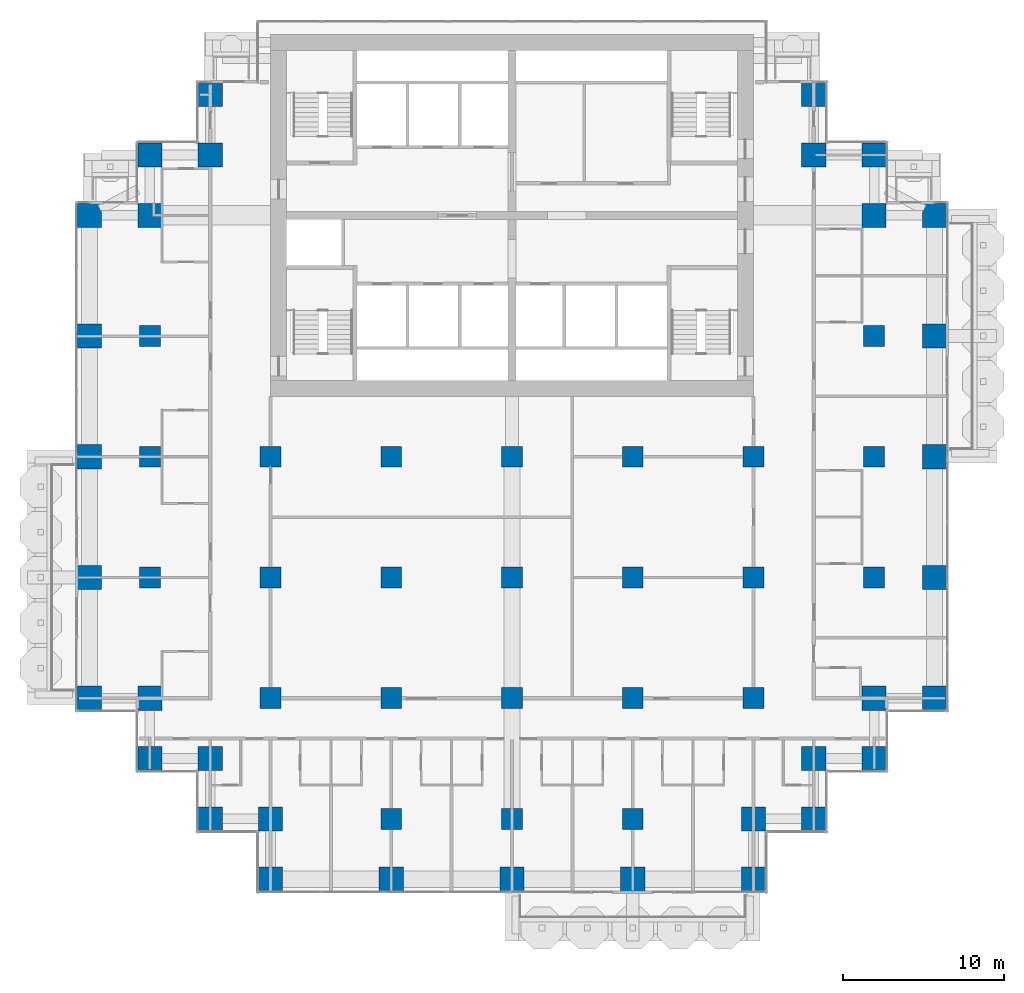
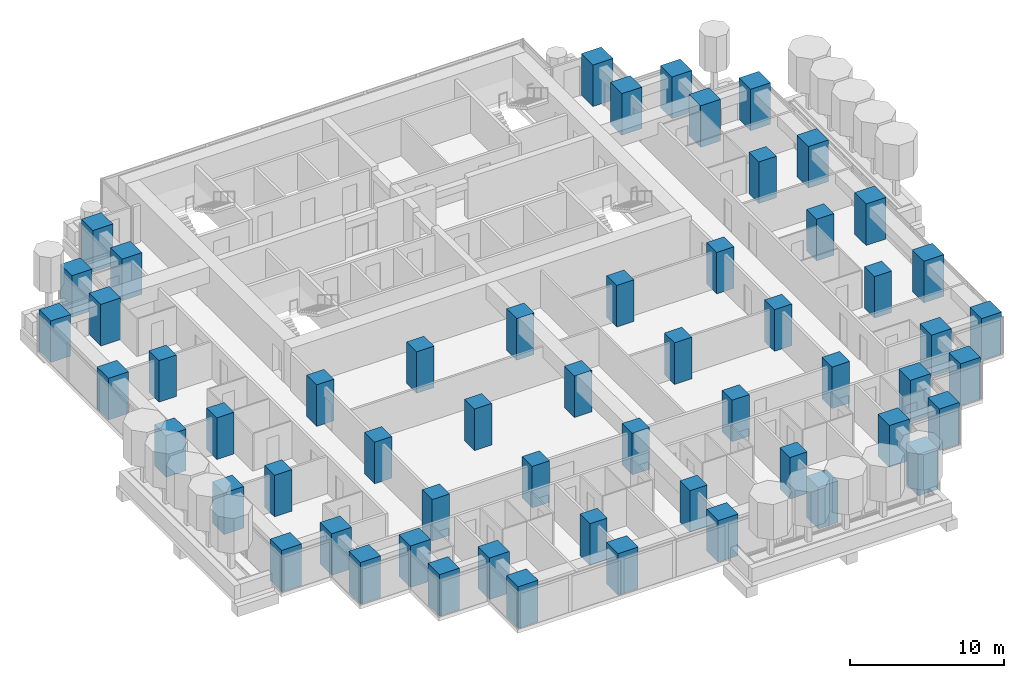
# One storey, part 1 of 20: 57 columns.
"""IFC4 building model written with IfcOpenShell, lengths in metres."""

import ifcopenshell
import ifcopenshell.guid

model = None  # the IFC model being written
_history = None  # IfcOwnerHistory: only IFC2X3 demands one
_inside = {}  # id of a spatial element -> (the spatial element, [elements in it])
_under = {}  # id of a project, library or spatial element -> (it, [spatial elements below it])
_declared = {}  # id of a project -> (the project, [libraries it declares])
_typed = {}  # id of a type object -> (the type object, [elements of that type])
_made_of = {}  # id of a material, layer set ... -> (it, [elements and type objects made of it])


def new_model(schema):
    """Start an empty IFC model of exactly this schema.

    Asked for "IFC4X3", IfcOpenShell would pick the latest addendum, in which some entities
    have other attributes; the version numbers below select the first issue.
    IFC2X3 requires an IfcOwnerHistory on every rooted entity: one is made here for all.
    """
    global model, _history
    if schema == "IFC4X3":
        model = ifcopenshell.file(schema_version=(4, 3, 0, 0))
    else:
        model = ifcopenshell.file(schema=schema)
    _inside.clear()
    _under.clear()
    _declared.clear()
    _typed.clear()
    _made_of.clear()
    _history = None
    if model.schema == "IFC2X3":
        org = make("IfcOrganization", Name="unknown")
        user = make(
            "IfcPersonAndOrganization",
            ThePerson=make("IfcPerson", FamilyName="unknown"),
            TheOrganization=org,
        )
        app = make(
            "IfcApplication",
            ApplicationDeveloper=org,
            Version="unknown",
            ApplicationFullName="unknown",
            ApplicationIdentifier="unknown",
        )
        _history = make(
            "IfcOwnerHistory",
            OwningUser=user,
            OwningApplication=app,
            ChangeAction="ADDED",
            CreationDate=0,
        )
    return model


def make(cls, **values):
    """One entity of the class cls with the attributes given. An attribute that is None is left unset."""
    return model.create_entity(
        cls, **{name: value for name, value in values.items() if value is not None}
    )


def rooted(cls, **values):
    """An entity with a GlobalId (a new one), such as an element, a storey or a relation."""
    return make(cls, GlobalId=ifcopenshell.guid.new(), OwnerHistory=_history, **values)


def si_unit(unit_type, name, prefix=None):
    """IfcSIUnit, for example si_unit("LENGTHUNIT", "METRE", prefix="MILLI")."""
    return make("IfcSIUnit", UnitType=unit_type, Prefix=prefix, Name=name)


def assignment(units):
    """IfcUnitAssignment: the units of a project."""
    return None if units is None else make("IfcUnitAssignment", Units=units)


def point(xyz):
    """IfcCartesianPoint."""
    return None if xyz is None else make("IfcCartesianPoint", Coordinates=xyz)


def direction(xyz):
    """IfcDirection."""
    return None if xyz is None else make("IfcDirection", DirectionRatios=xyz)


def frame(location, z_axis=None, x_axis=None):
    """IfcAxis2Placement3D, a coordinate frame: its origin and axes. An axis left out is left unset."""
    return make(
        "IfcAxis2Placement3D",
        Location=point(location),
        Axis=direction(z_axis),
        RefDirection=direction(x_axis),
    )


def frame_2d(location, x_axis=None):
    """IfcAxis2Placement2D, a coordinate frame in the plane: its origin and x axis."""
    return make(
        "IfcAxis2Placement2D", Location=point(location), RefDirection=direction(x_axis)
    )


def origin():
    """The frame at (0, 0, 0) with its axes left unset."""
    return frame((0.0, 0.0, 0.0))


def origin_2d():
    """The frame at (0, 0) in the plane with its x axis left unset."""
    return frame_2d((0.0, 0.0))


def place(relative_to, where):
    """IfcLocalPlacement: puts the frame where relative to a parent placement (None: the world)."""
    return make(
        "IfcLocalPlacement", PlacementRelTo=relative_to, RelativePlacement=where
    )


def context(
    kind, dimensions, precision=None, world=None, true_north=None, identifier=None
):
    """IfcGeometricRepresentationContext, for example the 3D "Model" context."""
    return make(
        "IfcGeometricRepresentationContext",
        ContextIdentifier=identifier,
        ContextType=kind,
        CoordinateSpaceDimension=dimensions,
        Precision=precision,
        WorldCoordinateSystem=world,
        TrueNorth=true_north,
    )


def subcontext(parent, identifier, kind, view, scale=None):
    """IfcGeometricRepresentationSubContext, for example "Body" below "Model"."""
    return make(
        "IfcGeometricRepresentationSubContext",
        ContextIdentifier=identifier,
        ContextType=kind,
        ParentContext=parent,
        TargetScale=scale,
        TargetView=view,
    )


def project(units=None, contexts=None):
    """IfcProject with its units and contexts."""
    return rooted(
        "IfcProject",
        Name="project",
        RepresentationContexts=contexts,
        UnitsInContext=assignment(units),
    )


def spatial(cls, under=None, at=None, **own):
    """A site, building, storey or space (cls), placed at a placement, below another one or the project."""
    s = rooted(cls, ObjectPlacement=at, **own)
    if under is not None:
        _under.setdefault(under.id(), (under, []))[1].append(s)
    return s


def profile(cls, at=None, kind="AREA", **sizes):
    """A parametric profile (cls). Its sizes go by their IFC names, for example OverallWidth=200.0."""
    return make(cls, ProfileType=kind, Position=at, **sizes)


def rectangle(**sizes):
    """IfcRectangleProfileDef."""
    return profile("IfcRectangleProfileDef", **sizes)


def extrude(swept, where, along, depth):
    """IfcExtrudedAreaSolid: the profile swept, set in the frame where, extruded along a direction by depth."""
    return make(
        "IfcExtrudedAreaSolid",
        SweptArea=swept,
        Position=where,
        ExtrudedDirection=direction(along),
        Depth=depth,
    )


def shape(context_of_items, identifier, shape_type, items):
    """IfcShapeRepresentation: the items that make up one representation, for example the "Body"."""
    return make(
        "IfcShapeRepresentation",
        ContextOfItems=context_of_items,
        RepresentationIdentifier=identifier,
        RepresentationType=shape_type,
        Items=items,
    )


def material(Name=None, Category=None):
    """IfcMaterial."""
    return make("IfcMaterial", Name=Name, Category=Category)


def material_profile(
    of_material, cross_section, Name=None, Category=None, Priority=None
):
    """IfcMaterialProfile: a cross section and its material."""
    return make(
        "IfcMaterialProfile",
        Name=Name,
        Material=of_material,
        Profile=cross_section,
        Priority=Priority,
        Category=Category,
    )


def profile_set(profiles, Name=None, composite=None):
    """IfcMaterialProfileSet."""
    return make(
        "IfcMaterialProfileSet",
        Name=Name,
        MaterialProfiles=profiles,
        CompositeProfile=composite,
    )


def made_of(thing, what):
    """Note that an element or type object is made of a material, layer set ...; save() writes the relation."""
    if what is not None:
        _made_of.setdefault(what.id(), (what, []))[1].append(thing)
    return thing


def type_object(cls, material=None, **own):
    """A type object (cls), such as IfcWallType, which elements share."""
    return made_of(rooted(cls, **own), material)


def element(
    cls,
    number,
    at=None,
    inside=None,
    cuts=None,
    type_object=None,
    material=None,
    context=None,
    identifier="Body",
    shape_type=None,
    held_by="IfcProductDefinitionShape",
    body=None,
    shapes=None,
    **own,
):
    """One element of the class cls, such as IfcWall. Its Tag is "e" and its number.

    at: its placement. inside: the storey or other place that contains it. cuts: it is an
    opening in that element (IfcRelVoidsElement). A single representation is given by context,
    identifier, shape_type and body (its items); several are given by shapes. held_by: the class
    of the entity that holds the representations. save() writes the other relations.
    """
    e = rooted(cls, Tag="e%d" % number, ObjectPlacement=at, **own)
    if body is not None:
        shapes = [shape(context, identifier, shape_type, body)]
    if shapes is not None:
        e.Representation = make(held_by, Representations=shapes)
    if inside is not None:
        _inside.setdefault(inside.id(), (inside, []))[1].append(e)
    if cuts is not None:
        rooted(
            "IfcRelVoidsElement", RelatingBuildingElement=cuts, RelatedOpeningElement=e
        )
    if type_object is not None:
        _typed.setdefault(type_object.id(), (type_object, []))[1].append(e)
    return made_of(e, material)


def aggregate(whole, parts):
    """IfcRelAggregates: a whole, such as a stair, and the parts it consists of."""
    return rooted("IfcRelAggregates", RelatingObject=whole, RelatedObjects=parts)


def save(model, path):
    """Write the relations noted so far, then the file.

    IfcRelAggregates (storeys below a building ...), IfcRelContainedInSpatialStructure (elements
    in a storey), IfcRelDefinesByType, IfcRelAssociatesMaterial and IfcRelDeclares: one each for
    every whole, place, type object, material and project.
    """
    for whole, parts in _under.values():
        aggregate(whole, parts)
    for where, things in _inside.values():
        rooted(
            "IfcRelContainedInSpatialStructure",
            RelatedElements=things,
            RelatingStructure=where,
        )
    for kind, things in _typed.values():
        rooted("IfcRelDefinesByType", RelatedObjects=things, RelatingType=kind)
    for what, things in _made_of.values():
        rooted("IfcRelAssociatesMaterial", RelatedObjects=things, RelatingMaterial=what)
    for by, libraries in _declared.values():
        rooted("IfcRelDeclares", RelatingContext=by, RelatedDefinitions=libraries)
    model.write(path)


model = new_model("IFC4")

# Units and contexts
model_context = context("Model", 3, precision=1e-05, world=origin(), true_north=direction((0.0, 1.0)))
body_context = subcontext(model_context, "Body", "Model", "MODEL_VIEW")
ifc_project = project(units=[si_unit("LENGTHUNIT", "METRE"), si_unit("AREAUNIT", "SQUARE_METRE"), si_unit("VOLUMEUNIT", "CUBIC_METRE"), si_unit("PLANEANGLEUNIT", "RADIAN"), si_unit("MASSUNIT", "GRAM", prefix="KILO")], contexts=[model_context])

# Site, building, storey
site_placement = place(None, origin())
site = spatial("IfcSite", under=ifc_project, at=site_placement, CompositionType="ELEMENT")
building_placement = place(site_placement, origin())
building = spatial("IfcBuilding", under=site, at=building_placement, Name="Pilkhan Gate Tower", CompositionType="ELEMENT")
storey_placement = place(building_placement, frame((0.0, 0.0, 98.89990234375)))
storey = spatial("IfcBuildingStorey", under=building, at=storey_placement, Name="L24", CompositionType="ELEMENT", Elevation=98.89990234375)

# Columns
ifc_material = material(Name="Concrete C70/85", Category="concrete")
ifc_material_profile_1 = material_profile(ifc_material, rectangle(XDim=1.300048828125, YDim=1.300048828125, at=origin_2d()), Name="RC 1300x1300")
ifc_profile_set_1 = profile_set([ifc_material_profile_1], Name="Concrete C70/85")
column_type_1 = type_object("IfcColumnType", Name="Column C130 RC 1300x1300 C70/85", PredefinedType="COLUMN", material=ifc_profile_set_1)
for number, where, z_axis, x_axis, name in (
    (1, (52.5, 60.0, 0.0), (0.0, 0.0, 1.0), (1.0, 0.0, 0.0), "Column 5/F L24"),
    (2, (52.5, 67.5, 0.0), (0.0, 0.0, 1.0), (1.0, 0.0, 0.0), "Column 5/H L24"),
    (3, (52.5, 75.0, 0.0), (0.0, 0.0, 1.0), (1.0, 0.0, 0.0), "Column 5/K L24"),
    (4, (60.0, 52.5, 0.0), (0.0, 0.0, 1.0), (1.0, 0.0, 0.0), "Column 7/D L24"),
    (5, (60.0, 60.0, 0.0), (0.0, 0.0, 1.0), (1.0, 0.0, 0.0), "Column 7/F L24"),
    (6, (60.0, 67.5, 0.0), (0.0, 0.0, 1.0), (1.0, 0.0, 0.0), "Column 7/H L24"),
    (7, (67.5, 45.0, 0.0), (0.0, 0.0, 1.0), (1.0, 0.0, 0.0), "Column 9/B L24"),
    (8, (67.5, 52.5, 0.0), (0.0, 0.0, 1.0), (1.0, 0.0, 0.0), "Column 9/D L24"),
    (9, (67.5, 60.0, 0.0), (0.0, 0.0, 1.0), (1.0, 0.0, 0.0), "Column 9/F L24"),
    (10, (67.5, 67.5, 0.0), (0.0, 0.0, 1.0), (1.0, 0.0, 0.0), "Column 9/H L24"),
    (11, (75.0, 45.0, 0.0), (0.0, 0.0, 1.0), (1.0, 0.0, 0.0), "Column 11/B L24"),
    (12, (75.0, 52.5, 0.0), (0.0, 0.0, 1.0), (1.0, 0.0, 0.0), "Column 11/D L24"),
    (13, (75.0, 60.0, 0.0), (0.0, 0.0, 1.0), (1.0, 0.0, 0.0), "Column 11/F L24"),
    (14, (75.0, 67.5, 0.0), (0.0, 0.0, 1.0), (1.0, 0.0, 0.0), "Column 11/H L24"),
    (15, (82.5, 45.0, 0.0), (0.0, 0.0, 1.0), (1.0, 0.0, 0.0), "Column 13/B L24"),
    (16, (82.5, 52.5, 0.0), (0.0, 0.0, 1.0), (1.0, 0.0, 0.0), "Column 13/D L24"),
    (17, (82.5, 60.0, 0.0), (0.0, 0.0, 1.0), (1.0, 0.0, 0.0), "Column 13/F L24"),
    (18, (82.5, 67.5, 0.0), (0.0, 0.0, 1.0), (1.0, 0.0, 0.0), "Column 13/H L24"),
    (19, (90.0, 52.5, 0.0), (0.0, 0.0, 1.0), (1.0, 0.0, 0.0), "Column 15/D L24"),
    (20, (90.0, 60.0, 0.0), (0.0, 0.0, 1.0), (1.0, 0.0, 0.0), "Column 15/F L24"),
    (21, (90.0, 67.5, 0.0), (0.0, 0.0, 1.0), (1.0, 0.0, 0.0), "Column 15/H L24"),
    (22, (97.5, 60.0, 0.0), (0.0, 0.0, 1.0), (1.0, 0.0, 0.0), "Column 17/F L24"),
    (23, (97.5, 67.5, 0.0), (0.0, 0.0, 1.0), (1.0, 0.0, 0.0), "Column 17/H L24"),
    (24, (97.5, 75.0, 0.0), (0.0, 0.0, 1.0), (1.0, 0.0, 0.0), "Column 17/K L24"),
):
    element("IfcColumn", number, at=place(storey_placement, frame(where, z_axis=z_axis, x_axis=x_axis)), inside=storey, type_object=column_type_1, Name=name, PredefinedType="COLUMN", context=body_context, shape_type="SweptSolid", body=[
        extrude(rectangle(XDim=1.300048828125, YDim=1.300048828125, at=origin_2d()), origin(), (0.0, 0.0, 1.0), 3.300048828125),
    ])
ifc_material_profile_2 = material_profile(ifc_material, rectangle(XDim=1.5, YDim=1.5, at=origin_2d()), Name="RC 1500x1500")
ifc_profile_set_2 = profile_set([ifc_material_profile_2], Name="Concrete C70/85")
column_type_2 = type_object("IfcColumnType", Name="Column C150 RC 1500x1500 C70/85", PredefinedType="COLUMN", material=ifc_profile_set_2)
for number, where, z_axis, x_axis, name in (
    (25, (48.75, 52.5, 0.0), (0.0, 0.0, 1.0), (1.0, 0.0, 0.0), "Column 4/D L24"),
    (26, (48.75, 60.0, 0.0), (0.0, 0.0, 1.0), (1.0, 0.0, 0.0), "Column 4/F L24"),
    (27, (48.75, 67.5, 0.0), (0.0, 0.0, 1.0), (1.0, 0.0, 0.0), "Column 4/H L24"),
    (28, (48.75, 75.0, 0.0), (0.0, 0.0, 1.0), (1.0, 0.0, 0.0), "Column 4/K L24"),
    (29, (48.75, 82.5, 0.0), (0.0, 0.0, 1.0), (1.0, 0.0, 0.0), "Column 4/M L24"),
    (30, (52.5, 48.75, 0.0), (0.0, 0.0, 1.0), (1.0, 0.0, 0.0), "Column 5/C L24"),
    (31, (52.5, 52.5, 0.0), (0.0, 0.0, 1.0), (1.0, 0.0, 0.0), "Column 5/D L24"),
    (32, (52.5, 82.5, 0.0), (0.0, 0.0, 1.0), (1.0, 0.0, 0.0), "Column 5/M L24"),
    (33, (52.5, 86.25, 0.0), (0.0, 0.0, 1.0), (1.0, 0.0, 0.0), "Column 5/N L24"),
    (34, (56.25, 45.0, 0.0), (0.0, 0.0, 1.0), (1.0, 0.0, 0.0), "Column 6/B L24"),
    (35, (56.25, 48.75, 0.0), (0.0, 0.0, 1.0), (1.0, 0.0, 0.0), "Column 6/C L24"),
    (36, (56.25, 86.25, 0.0), (0.0, 0.0, 1.0), (1.0, 0.0, 0.0), "Column 6/N L24"),
    (37, (56.25, 90.0, 0.0), (0.0, 0.0, 1.0), (1.0, 0.0, 0.0), "Column 6/P L24"),
    (38, (60.0, 41.25, 0.0), (0.0, 0.0, 1.0), (1.0, 0.0, 0.0), "Column 7/A L24"),
    (39, (60.0, 45.0, 0.0), (0.0, 0.0, 1.0), (1.0, 0.0, 0.0), "Column 7/B L24"),
    (40, (67.5, 41.25, 0.0), (0.0, 0.0, 1.0), (1.0, 0.0, 0.0), "Column 9/A L24"),
    (41, (75.0, 41.25, 0.0), (0.0, 0.0, 1.0), (1.0, 0.0, 0.0), "Column 11/A L24"),
    (42, (82.5, 41.25, 0.0), (0.0, 0.0, 1.0), (1.0, 0.0, 0.0), "Column 13/A L24"),
    (43, (90.0, 41.25, 0.0), (0.0, 0.0, 1.0), (1.0, 0.0, 0.0), "Column 15/A L24"),
    (44, (90.0, 45.0, 0.0), (0.0, 0.0, 1.0), (1.0, 0.0, 0.0), "Column 15/B L24"),
    (45, (93.75, 45.0, 0.0), (0.0, 0.0, 1.0), (1.0, 0.0, 0.0), "Column 16/B L24"),
    (46, (93.75, 48.75, 0.0), (0.0, 0.0, 1.0), (1.0, 0.0, 0.0), "Column 16/C L24"),
    (47, (93.75, 86.25, 0.0), (0.0, 0.0, 1.0), (1.0, 0.0, 0.0), "Column 16/N L24"),
    (48, (93.75, 90.0, 0.0), (0.0, 0.0, 1.0), (1.0, 0.0, 0.0), "Column 16/P L24"),
    (49, (97.5, 48.75, 0.0), (0.0, 0.0, 1.0), (1.0, 0.0, 0.0), "Column 17/C L24"),
    (50, (97.5, 52.5, 0.0), (0.0, 0.0, 1.0), (1.0, 0.0, 0.0), "Column 17/D L24"),
    (51, (97.5, 82.5, 0.0), (0.0, 0.0, 1.0), (1.0, 0.0, 0.0), "Column 17/M L24"),
    (52, (97.5, 86.25, 0.0), (0.0, 0.0, 1.0), (1.0, 0.0, 0.0), "Column 17/N L24"),
    (53, (101.25, 52.5, 0.0), (0.0, 0.0, 1.0), (1.0, 0.0, 0.0), "Column 18/D L24"),
    (54, (101.25, 60.0, 0.0), (0.0, 0.0, 1.0), (1.0, 0.0, 0.0), "Column 18/F L24"),
    (55, (101.25, 67.5, 0.0), (0.0, 0.0, 1.0), (1.0, 0.0, 0.0), "Column 18/H L24"),
    (56, (101.25, 75.0, 0.0), (0.0, 0.0, 1.0), (1.0, 0.0, 0.0), "Column 18/K L24"),
    (57, (101.25, 82.5, 0.0), (0.0, 0.0, 1.0), (1.0, 0.0, 0.0), "Column 18/M L24"),
):
    element("IfcColumn", number, at=place(storey_placement, frame(where, z_axis=z_axis, x_axis=x_axis)), inside=storey, type_object=column_type_2, Name=name, PredefinedType="COLUMN", context=body_context, shape_type="SweptSolid", body=[
        extrude(rectangle(XDim=1.5, YDim=1.5, at=origin_2d()), origin(), (0.0, 0.0, 1.0), 3.300048828125),
    ])

save(model, "model.ifc")
